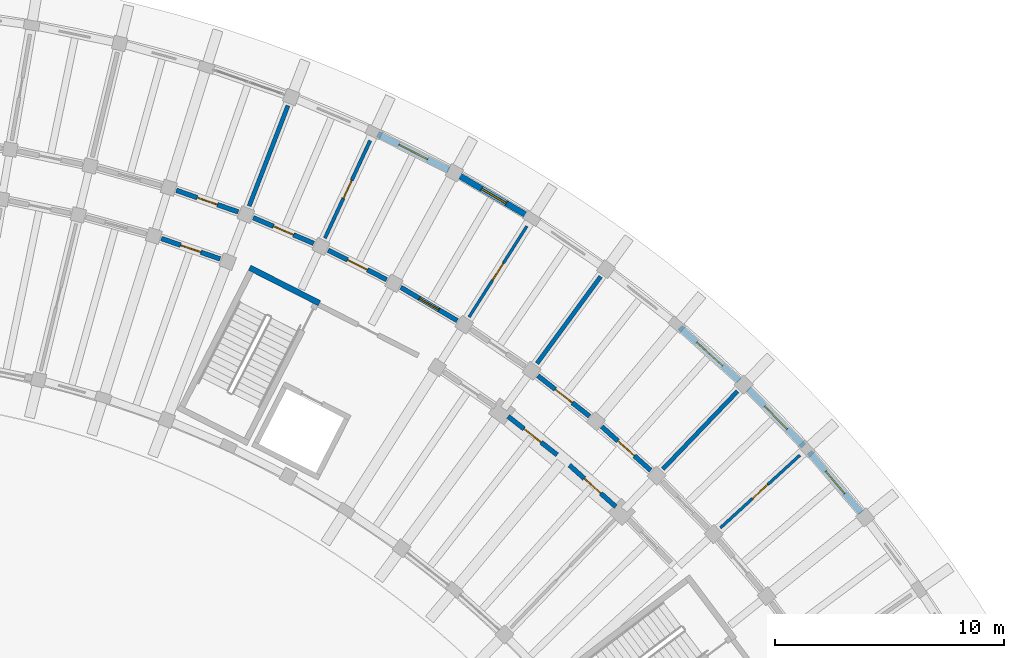
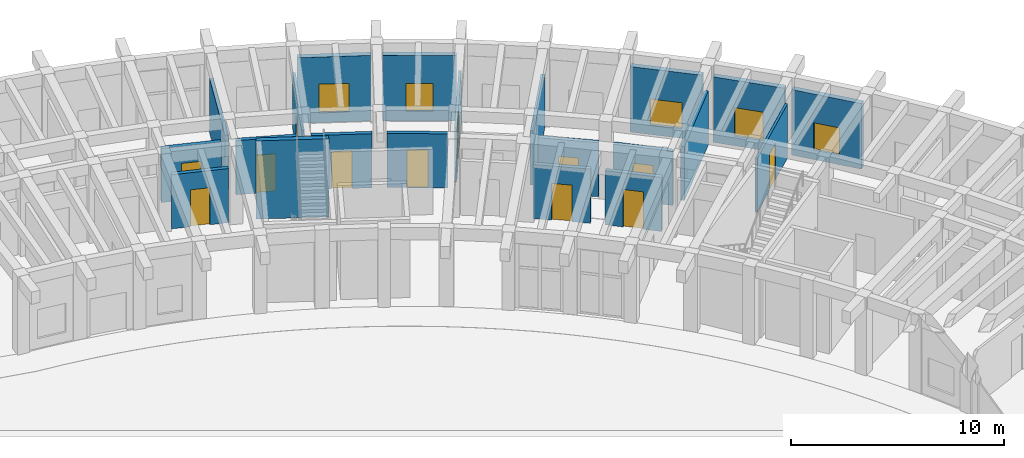
# One storey, part 107 of 132: 21 walls, 12 doors, 5 windows, 17 openings.
"""IFC4 building model written with IfcOpenShell, lengths in metres."""

from ifc_helpers import new_model, si_unit, direction, frame, frame_2d, origin, place, context, subcontext, project, spatial, rectangle, extrude, material, layer, layer_set, type_object, element, fill, save


model = new_model("IFC4")

# Units and contexts
model_context = context("Model", 3, precision=1e-05, world=origin(), true_north=direction((0.0, 1.0)))
body_context = subcontext(model_context, "Body", "Model", "MODEL_VIEW")
ifc_project = project(units=[si_unit("LENGTHUNIT", "METRE"), si_unit("AREAUNIT", "SQUARE_METRE"), si_unit("VOLUMEUNIT", "CUBIC_METRE"), si_unit("PLANEANGLEUNIT", "RADIAN"), si_unit("MASSUNIT", "GRAM", prefix="KILO")], contexts=[model_context])

# Site, building, storey
site_placement = place(None, origin())
site = spatial("IfcSite", under=ifc_project, at=site_placement, CompositionType="ELEMENT")
building_placement = place(site_placement, origin())
building = spatial("IfcBuilding", under=site, at=building_placement, Name="Tanwirah Colonnade Gardens", CompositionType="ELEMENT")
storey_placement = place(building_placement, origin())
storey = spatial("IfcBuildingStorey", under=building, at=storey_placement, Name="L00", CompositionType="ELEMENT", Elevation=0.0)

# Wall, opening, window
ifc_material_1 = material(Name="Limestone architectural precast concrete C40/50", Category="masonry")
ifc_layer_1 = layer(ifc_material_1, 0.27001953125)
ifc_layer_set_1 = layer_set([ifc_layer_1], Name="Limestone architectural precast concrete C40/50")
wall_type_1 = type_object("IfcWallType", Name="EW-PC270", PredefinedType="SOLIDWALL", material=ifc_layer_set_1)
wall_1_placement = place(storey_placement, frame((167.32080078125, 97.611328125, 0.0), z_axis=(0.0, 0.0, 1.0), x_axis=(-0.650230086208, 0.759737346054, 0.0)))
wall_1 = element("IfcWall", 1, at=wall_1_placement, inside=storey, type_object=wall_type_1, Name="Block B L00 OUT Precast Facade Wall 6", PredefinedType="SOLIDWALL", context=body_context, shape_type="SweptSolid", body=[
    extrude(rectangle(XDim=3.4755859375, YDim=0.27001953125, at=frame_2d((1.73779296875, 0.0))), origin(), (0.0, 0.0, 1.0), 3.7548828125),
])
opening_1_placement = place(wall_1_placement, frame((1.097900390625, 0.0, 0.550048828125)))
opening_1 = element("IfcOpeningElement", 2, at=opening_1_placement, cuts=wall_1, Name="Opening WIN-U04", PredefinedType="OPENING", context=body_context, shape_type="SweptSolid", body=[
    extrude(rectangle(XDim=1.280029296875, YDim=1.56005859375, at=frame_2d((0.64013671875, 0.780029296875))), frame((0.0, 0.14501953125, 0.0), z_axis=(0.0, -1.0, 0.0), x_axis=(1.0, 0.0, 0.0)), (0.0, 0.0, 1.0), 0.2900390625),
])
ifc_material_2 = material(Name="Thermally broken bronze aluminium and solar low-E double glazing", Category="aluminium")
window_type_1 = type_object("IfcWindowType", Name="WIN-U04", PartitioningType="DOUBLE_PANEL_VERTICAL", PredefinedType="WINDOW", material=ifc_material_2)
window_1_placement = place(opening_1_placement, origin())
window_1 = element("IfcWindow", 3, at=window_1_placement, inside=storey, type_object=window_type_1, Name="Facade window B-L00-OUT-06", OverallHeight=1.56005859375, OverallWidth=1.280029296875, PartitioningType="SINGLE_PANEL", PredefinedType="WINDOW", context=body_context, shape_type="SweptSolid", body=[
    extrude(rectangle(XDim=1.280029296875, YDim=1.56005859375, at=frame_2d((0.64013671875, 0.780029296875))), frame((0.0, 0.030029296875, 0.0), z_axis=(0.0, -1.0, 0.0), x_axis=(1.0, 0.0, 0.0)), (0.0, 0.0, 1.0), 0.06005859375),
])
fill(opening_1, window_1)

wall_2_placement = place(storey_placement, frame((164.818115234375, 100.517578125, 0.0), z_axis=(0.0, 0.0, 1.0), x_axis=(-0.69884067125, 0.715277370121, 0.0)))
wall_2 = element("IfcWall", 4, at=wall_2_placement, inside=storey, type_object=wall_type_1, Name="Block B L00 OUT Precast Facade Wall 7", PredefinedType="SOLIDWALL", context=body_context, shape_type="SweptSolid", body=[
    extrude(rectangle(XDim=3.4755859375, YDim=0.27001953125, at=frame_2d((1.73779296875, 0.0))), origin(), (0.0, 0.0, 1.0), 3.7548828125),
])
opening_2_placement = place(wall_2_placement, frame((1.037841796875, 0.0, 0.550048828125)))
opening_2 = element("IfcOpeningElement", 5, at=opening_2_placement, cuts=wall_2, Name="Opening WIN-U07", PredefinedType="OPENING", context=body_context, shape_type="SweptSolid", body=[
    extrude(rectangle(XDim=1.39990234375, YDim=1.635009765625, at=frame_2d((0.699951171875, 0.8173828125))), frame((0.0, 0.14501953125, 0.0), z_axis=(0.0, -1.0, 0.0), x_axis=(1.0, 0.0, 0.0)), (0.0, 0.0, 1.0), 0.2900390625),
])
window_type_2 = type_object("IfcWindowType", Name="WIN-U07", PartitioningType="DOUBLE_PANEL_VERTICAL", PredefinedType="WINDOW", material=ifc_material_2)
window_2_placement = place(opening_2_placement, origin())
window_2 = element("IfcWindow", 6, at=window_2_placement, inside=storey, type_object=window_type_2, Name="Facade window B-L00-OUT-07", OverallHeight=1.635009765625, OverallWidth=1.39990234375, PartitioningType="SINGLE_PANEL", PredefinedType="WINDOW", context=body_context, shape_type="SweptSolid", body=[
    extrude(rectangle(XDim=1.39990234375, YDim=1.635009765625, at=frame_2d((0.699951171875, 0.8173828125))), frame((0.0, 0.030029296875, 0.0), z_axis=(0.0, -1.0, 0.0), x_axis=(1.0, 0.0, 0.0)), (0.0, 0.0, 1.0), 0.06005859375),
])
fill(opening_2, window_2)

wall_3_placement = place(storey_placement, frame((161.99951171875, 103.377197265625, 0.0), z_axis=(0.0, 0.0, 1.0), x_axis=(-0.744452648125, 0.667675261411, 0.0)))
wall_3 = element("IfcWall", 7, at=wall_3_placement, inside=storey, type_object=wall_type_1, Name="Block B L00 OUT Precast Facade Wall 8", PredefinedType="SOLIDWALL", context=body_context, shape_type="SweptSolid", body=[
    extrude(rectangle(XDim=3.4755859375, YDim=0.27001953125, at=frame_2d((1.73779296875, 0.0))), origin(), (0.0, 0.0, 1.0), 3.7548828125),
])
opening_3_placement = place(wall_3_placement, frame((0.977783203125, 0.0, 0.550048828125)))
opening_3 = element("IfcOpeningElement", 8, at=opening_3_placement, cuts=wall_3, Name="Opening WIN-U10", PredefinedType="OPENING", context=body_context, shape_type="SweptSolid", body=[
    extrude(rectangle(XDim=1.52001953125, YDim=1.485107421875, at=frame_2d((0.760009765625, 0.74267578125))), frame((0.0, 0.14501953125, 0.0), z_axis=(0.0, -1.0, 0.0), x_axis=(1.0, 0.0, 0.0)), (0.0, 0.0, 1.0), 0.2900390625),
])
window_type_3 = type_object("IfcWindowType", Name="WIN-U10", PartitioningType="DOUBLE_PANEL_VERTICAL", PredefinedType="WINDOW", material=ifc_material_2)
window_3_placement = place(opening_3_placement, origin())
window_3 = element("IfcWindow", 9, at=window_3_placement, inside=storey, type_object=window_type_3, Name="Facade window B-L00-OUT-08", OverallHeight=1.485107421875, OverallWidth=1.52001953125, PartitioningType="SINGLE_PANEL", PredefinedType="WINDOW", context=body_context, shape_type="SweptSolid", body=[
    extrude(rectangle(XDim=1.52001953125, YDim=1.485107421875, at=frame_2d((0.760009765625, 0.74267578125))), frame((0.0, 0.030029296875, 0.0), z_axis=(0.0, -1.0, 0.0), x_axis=(1.0, 0.0, 0.0)), (0.0, 0.0, 1.0), 0.06005859375),
])
fill(opening_3, window_3)

wall_4_placement = place(storey_placement, frame((152.79248046875, 110.54638671875, 0.0), z_axis=(0.0, 0.0, 1.0), x_axis=(-0.861127819205, 0.50838851186, 0.0)))
wall_4 = element("IfcWall", 10, at=wall_4_placement, inside=storey, type_object=wall_type_1, Name="Block B L00 OUT Precast Facade Wall 11", PredefinedType="SOLIDWALL", context=body_context, shape_type="SweptSolid", body=[
    extrude(rectangle(XDim=3.475830078125, YDim=0.27001953125, at=frame_2d((1.73779296875, 0.0))), origin(), (0.0, 0.0, 1.0), 3.7548828125),
])
opening_4_placement = place(wall_4_placement, frame((1.11279296875, 0.0, 0.550048828125)))
opening_4 = element("IfcOpeningElement", 11, at=opening_4_placement, cuts=wall_4, Name="Opening WIN-T03", PredefinedType="OPENING", context=body_context, shape_type="SweptSolid", body=[
    extrude(rectangle(XDim=1.25, YDim=1.60009765625, at=frame_2d((0.625, 0.800048828125))), frame((0.0, 0.14501953125, 0.0), z_axis=(0.0, -1.0, 0.0), x_axis=(1.0, 0.0, 0.0)), (0.0, 0.0, 1.0), 0.2900390625),
])
window_type_4 = type_object("IfcWindowType", Name="WIN-T03", PartitioningType="SINGLE_PANEL", PredefinedType="WINDOW", material=ifc_material_2)
window_4_placement = place(opening_4_placement, origin())
window_4 = element("IfcWindow", 12, at=window_4_placement, inside=storey, type_object=window_type_4, Name="Facade window B-L00-OUT-11", OverallHeight=1.60009765625, OverallWidth=1.25, PartitioningType="SINGLE_PANEL", PredefinedType="WINDOW", context=body_context, shape_type="SweptSolid", body=[
    extrude(rectangle(XDim=1.25, YDim=1.60009765625, at=frame_2d((0.625, 0.800048828125))), frame((0.0, 0.030029296875, 0.0), z_axis=(0.0, -1.0, 0.0), x_axis=(1.0, 0.0, 0.0)), (0.0, 0.0, 1.0), 0.06005859375),
])
fill(opening_4, window_4)

wall_5_placement = place(storey_placement, frame((149.325927734375, 112.572265625, 0.0), z_axis=(0.0, 0.0, 1.0), x_axis=(-0.89276335836, 0.450525899333, 0.0)))
wall_5 = element("IfcWall", 13, at=wall_5_placement, inside=storey, type_object=wall_type_1, Name="Block B L00 OUT Precast Facade Wall 12", PredefinedType="SOLIDWALL", context=body_context, shape_type="SweptSolid", body=[
    extrude(rectangle(XDim=3.475830078125, YDim=0.27001953125, at=frame_2d((1.73779296875, 0.0))), origin(), (0.0, 0.0, 1.0), 3.7548828125),
])
opening_5_placement = place(wall_5_placement, frame((1.037841796875, 0.0, 0.550048828125)))
opening_5 = element("IfcOpeningElement", 14, at=opening_5_placement, cuts=wall_5, Name="Opening WIN-T06", PredefinedType="OPENING", context=body_context, shape_type="SweptSolid", body=[
    extrude(rectangle(XDim=1.39990234375, YDim=1.64990234375, at=frame_2d((0.699951171875, 0.824951171875))), frame((0.0, 0.14501953125, 0.0), z_axis=(0.0, -1.0, 0.0), x_axis=(1.0, 0.0, 0.0)), (0.0, 0.0, 1.0), 0.2900390625),
])
window_type_5 = type_object("IfcWindowType", Name="WIN-T06", PartitioningType="DOUBLE_PANEL_VERTICAL", PredefinedType="WINDOW", material=ifc_material_2)
window_5_placement = place(opening_5_placement, origin())
window_5 = element("IfcWindow", 15, at=window_5_placement, inside=storey, type_object=window_type_5, Name="Facade window B-L00-OUT-12", OverallHeight=1.64990234375, OverallWidth=1.39990234375, PartitioningType="SINGLE_PANEL", PredefinedType="WINDOW", context=body_context, shape_type="SweptSolid", body=[
    extrude(rectangle(XDim=1.39990234375, YDim=1.64990234375, at=frame_2d((0.699951171875, 0.824951171875))), frame((0.0, 0.030029296875, 0.0), z_axis=(0.0, -1.0, 0.0), x_axis=(1.0, 0.0, 0.0)), (0.0, 0.0, 1.0), 0.06005859375),
])
fill(opening_5, window_5)

# Wall, opening, door
ifc_material_3 = material(Name="Precast concrete C40/50", Category="concrete")
ifc_layer_2 = layer(ifc_material_3, 0.205078125)
ifc_layer_set_2 = layer_set([ifc_layer_2], Name="Precast concrete C40/50")
wall_type_2 = type_object("IfcWallType", Name="IW-CORR205", PredefinedType="PARTITIONING", material=ifc_layer_set_2)
wall_6_placement = place(storey_placement, frame((158.134765625, 99.459228515625, 0.0), z_axis=(0.0, 0.0, 1.0), x_axis=(-0.744433521088, 0.667696587291, 0.0)))
wall_6 = element("IfcWall", 16, at=wall_6_placement, inside=storey, type_object=wall_type_2, Name="Block B L00 OUT Corridor Wall 8", PredefinedType="PARTITIONING", context=body_context, shape_type="SweptSolid", body=[
    extrude(rectangle(XDim=2.86328125, YDim=0.205078125, at=frame_2d((1.431640625, 0.0))), origin(), (0.0, 0.0, 1.0), 3.10009765625),
])
opening_6_placement = place(wall_6_placement, frame((0.946533203125, 0.0, 0.0)))
opening_6 = element("IfcOpeningElement", 17, at=opening_6_placement, cuts=wall_6, Name="Opening L00-AD811", PredefinedType="OPENING", context=body_context, shape_type="SweptSolid", body=[
    extrude(rectangle(XDim=0.969970703125, YDim=2.14990234375, at=frame_2d((0.48486328125, 1.074951171875))), frame((0.0, 0.112548828125, 0.0), z_axis=(0.0, -1.0, 0.0), x_axis=(1.0, 0.0, 0.0)), (0.0, 0.0, 1.0), 0.22509765625),
])
ifc_material_4 = material(Name="Solid oak fire-resisting apartment entrance door")
door_type_1 = type_object("IfcDoorType", Name="ID-FLT097", OperationType="NOTDEFINED", PredefinedType="DOOR", material=ifc_material_4)
door_1_placement = place(opening_6_placement, origin())
door_1 = element("IfcDoor", 18, at=door_1_placement, inside=storey, type_object=door_type_1, Name="Apartment corridor door L00-AD811", OperationType="SINGLE_SWING_LEFT", OverallHeight=2.14990234375, OverallWidth=0.969970703125, PredefinedType="DOOR", context=body_context, shape_type="SweptSolid", body=[
    extrude(rectangle(XDim=0.969970703125, YDim=2.14990234375, at=frame_2d((0.48486328125, 1.074951171875))), frame((0.0, 0.02490234375, 0.0), z_axis=(0.0, -1.0, 0.0), x_axis=(1.0, 0.0, 0.0)), (0.0, 0.0, 1.0), 0.050048828125),
])
fill(opening_6, door_1)

wall_7_placement = place(storey_placement, frame((156.612548828125, 97.870849609375, 0.0), z_axis=(0.0, 0.0, 1.0), x_axis=(-0.744418559135, 0.667713268413, 0.0)))
wall_7 = element("IfcWall", 19, at=wall_7_placement, inside=storey, type_object=wall_type_2, Name="Block B L00 IN Corridor Wall 8", PredefinedType="PARTITIONING", context=body_context, shape_type="SweptSolid", body=[
    extrude(rectangle(XDim=2.71826171875, YDim=0.205078125, at=frame_2d((1.359130859375, 0.0))), origin(), (0.0, 0.0, 1.0), 3.10009765625),
])
opening_7_placement = place(wall_7_placement, frame((0.8740234375, 0.0, 0.0)))
opening_7 = element("IfcOpeningElement", 20, at=opening_7_placement, cuts=wall_7, Name="Opening L00-AD812", PredefinedType="OPENING", context=body_context, shape_type="SweptSolid", body=[
    extrude(rectangle(XDim=0.969970703125, YDim=2.14990234375, at=frame_2d((0.48486328125, 1.074951171875))), frame((0.0, 0.112548828125, 0.0), z_axis=(0.0, -1.0, 0.0), x_axis=(1.0, 0.0, 0.0)), (0.0, 0.0, 1.0), 0.22509765625),
])
door_2_placement = place(opening_7_placement, origin())
door_2 = element("IfcDoor", 21, at=door_2_placement, inside=storey, type_object=door_type_1, Name="Apartment corridor door L00-AD812", OperationType="SINGLE_SWING_RIGHT", OverallHeight=2.14990234375, OverallWidth=0.969970703125, PredefinedType="DOOR", context=body_context, shape_type="SweptSolid", body=[
    extrude(rectangle(XDim=0.969970703125, YDim=2.14990234375, at=frame_2d((0.48486328125, 1.074951171875))), frame((0.0, 0.02490234375, 0.0), z_axis=(0.0, -1.0, 0.0), x_axis=(1.0, 0.0, 0.0)), (0.0, 0.0, 1.0), 0.050048828125),
])
fill(opening_7, door_2)

wall_8_placement = place(storey_placement, frame((155.46728515625, 101.82080078125, 0.0), z_axis=(0.0, 0.0, 1.0), x_axis=(-0.786806323554, 0.617199975061, 0.0)))
wall_8 = element("IfcWall", 22, at=wall_8_placement, inside=storey, type_object=wall_type_2, Name="Block B L00 OUT Corridor Wall 9", PredefinedType="PARTITIONING", context=body_context, shape_type="SweptSolid", body=[
    extrude(rectangle(XDim=2.863037109375, YDim=0.205078125, at=frame_2d((1.431640625, 0.0))), origin(), (0.0, 0.0, 1.0), 3.10009765625),
])
opening_8_placement = place(wall_8_placement, frame((0.95654296875, 0.0, 0.0)))
opening_8 = element("IfcOpeningElement", 23, at=opening_8_placement, cuts=wall_8, Name="Opening L00-AD813", PredefinedType="OPENING", context=body_context, shape_type="SweptSolid", body=[
    extrude(rectangle(XDim=0.949951171875, YDim=2.1298828125, at=frame_2d((0.47509765625, 1.06494140625))), frame((0.0, 0.112548828125, 0.0), z_axis=(0.0, -1.0, 0.0), x_axis=(1.0, 0.0, 0.0)), (0.0, 0.0, 1.0), 0.22509765625),
])
door_type_2 = type_object("IfcDoorType", Name="ID-FLT095", OperationType="NOTDEFINED", PredefinedType="DOOR", material=ifc_material_4)
door_3_placement = place(opening_8_placement, origin())
door_3 = element("IfcDoor", 24, at=door_3_placement, inside=storey, type_object=door_type_2, Name="Apartment corridor door L00-AD813", OperationType="SINGLE_SWING_RIGHT", OverallHeight=2.1298828125, OverallWidth=0.949951171875, PredefinedType="DOOR", context=body_context, shape_type="SweptSolid", body=[
    extrude(rectangle(XDim=0.949951171875, YDim=2.1298828125, at=frame_2d((0.47509765625, 1.06494140625))), frame((0.0, 0.02490234375, 0.0), z_axis=(0.0, -1.0, 0.0), x_axis=(1.0, 0.0, 0.0)), (0.0, 0.0, 1.0), 0.050048828125),
])
fill(opening_8, door_3)

wall_9_placement = place(storey_placement, frame((154.05322265625, 100.135498046875, 0.0), z_axis=(0.0, 0.0, 1.0), x_axis=(-0.786835457019, 0.617162833924, 0.0)))
wall_9 = element("IfcWall", 25, at=wall_9_placement, inside=storey, type_object=wall_type_2, Name="Block B L00 IN Corridor Wall 9", PredefinedType="PARTITIONING", context=body_context, shape_type="SweptSolid", body=[
    extrude(rectangle(XDim=2.718017578125, YDim=0.205078125, at=frame_2d((1.35888671875, 0.0))), origin(), (0.0, 0.0, 1.0), 3.10009765625),
])
opening_9_placement = place(wall_9_placement, frame((0.87890625, 0.0, 0.0)))
opening_9 = element("IfcOpeningElement", 26, at=opening_9_placement, cuts=wall_9, Name="Opening L00-AD814", PredefinedType="OPENING", context=body_context, shape_type="SweptSolid", body=[
    extrude(rectangle(XDim=0.9599609375, YDim=2.10009765625, at=frame_2d((0.47998046875, 1.050048828125))), frame((0.0, 0.112548828125, 0.0), z_axis=(0.0, -1.0, 0.0), x_axis=(1.0, 0.0, 0.0)), (0.0, 0.0, 1.0), 0.22509765625),
])
ifc_material_5 = material(Name="Accessible toilet outward-opening door")
door_type_3 = type_object("IfcDoorType", Name="ID-AWC096", OperationType="NOTDEFINED", PredefinedType="DOOR", material=ifc_material_5)
door_4_placement = place(opening_9_placement, origin())
door_4 = element("IfcDoor", 27, at=door_4_placement, inside=storey, type_object=door_type_3, Name="Apartment corridor door L00-AD814", OperationType="SINGLE_SWING_LEFT", OverallHeight=2.10009765625, OverallWidth=0.9599609375, PredefinedType="DOOR", context=body_context, shape_type="SweptSolid", body=[
    extrude(rectangle(XDim=0.9599609375, YDim=2.10009765625, at=frame_2d((0.47998046875, 1.050048828125))), frame((0.0, 0.02490234375, 0.0), z_axis=(0.0, -1.0, 0.0), x_axis=(1.0, 0.0, 0.0)), (0.0, 0.0, 1.0), 0.050048828125),
])
fill(opening_9, door_4)

wall_10_placement = place(storey_placement, frame((149.6953125, 105.991455078125, 0.0), z_axis=(0.0, 0.0, 1.0), x_axis=(-0.861113214678, 0.508413248753, 0.0)))
wall_10 = element("IfcWall", 28, at=wall_10_placement, inside=storey, type_object=wall_type_2, Name="Block B L00 OUT Corridor Wall 11", PredefinedType="PARTITIONING", context=body_context, shape_type="SweptSolid", body=[
    extrude(rectangle(XDim=2.863037109375, YDim=0.205078125, at=frame_2d((1.431640625, 0.0))), origin(), (0.0, 0.0, 1.0), 3.10009765625),
])
opening_10_placement = place(wall_10_placement, frame((0.9365234375, 0.0, 0.0)))
opening_10 = element("IfcOpeningElement", 29, at=opening_10_placement, cuts=wall_10, Name="Opening L00-AD818", PredefinedType="OPENING", context=body_context, shape_type="SweptSolid", body=[
    extrude(rectangle(XDim=0.989990234375, YDim=2.159912109375, at=frame_2d((0.4951171875, 1.080078125))), frame((0.0, 0.112548828125, 0.0), z_axis=(0.0, -1.0, 0.0), x_axis=(1.0, 0.0, 0.0)), (0.0, 0.0, 1.0), 0.22509765625),
])
door_type_4 = type_object("IfcDoorType", Name="ID-FLT099", OperationType="NOTDEFINED", PredefinedType="DOOR", material=ifc_material_4)
door_5_placement = place(opening_10_placement, origin())
door_5 = element("IfcDoor", 30, at=door_5_placement, inside=storey, type_object=door_type_4, Name="Apartment corridor door L00-AD818", OperationType="SINGLE_SWING_RIGHT", OverallHeight=2.159912109375, OverallWidth=0.989990234375, PredefinedType="DOOR", context=body_context, shape_type="SweptSolid", body=[
    extrude(rectangle(XDim=0.989990234375, YDim=2.159912109375, at=frame_2d((0.4951171875, 1.080078125))), frame((0.0, 0.02490234375, 0.0), z_axis=(0.0, -1.0, 0.0), x_axis=(1.0, 0.0, 0.0)), (0.0, 0.0, 1.0), 0.050048828125),
])
fill(opening_10, door_5)

wall_11_placement = place(storey_placement, frame((146.615966796875, 107.782470703125, 0.0), z_axis=(0.0, 0.0, 1.0), x_axis=(-0.89273239336, 0.450587254419, 0.0)))
wall_11 = element("IfcWall", 31, at=wall_11_placement, inside=storey, type_object=wall_type_2, Name="Block B L00 OUT Corridor Wall 12", PredefinedType="PARTITIONING", context=body_context, shape_type="SweptSolid", body=[
    extrude(rectangle(XDim=2.863037109375, YDim=0.205078125, at=frame_2d((1.431640625, 0.0))), origin(), (0.0, 0.0, 1.0), 3.10009765625),
])
opening_11_placement = place(wall_11_placement, frame((0.946533203125, 0.0, 0.0)))
opening_11 = element("IfcOpeningElement", 32, at=opening_11_placement, cuts=wall_11, Name="Opening L00-AD819", PredefinedType="OPENING", context=body_context, shape_type="SweptSolid", body=[
    extrude(rectangle(XDim=0.969970703125, YDim=2.14990234375, at=frame_2d((0.48486328125, 1.074951171875))), frame((0.0, 0.112548828125, 0.0), z_axis=(0.0, -1.0, 0.0), x_axis=(1.0, 0.0, 0.0)), (0.0, 0.0, 1.0), 0.22509765625),
])
door_6_placement = place(opening_11_placement, origin())
door_6 = element("IfcDoor", 33, at=door_6_placement, inside=storey, type_object=door_type_1, Name="Apartment corridor door L00-AD819", OperationType="SINGLE_SWING_LEFT", OverallHeight=2.14990234375, OverallWidth=0.969970703125, PredefinedType="DOOR", context=body_context, shape_type="SweptSolid", body=[
    extrude(rectangle(XDim=0.969970703125, YDim=2.14990234375, at=frame_2d((0.48486328125, 1.074951171875))), frame((0.0, 0.02490234375, 0.0), z_axis=(0.0, -1.0, 0.0), x_axis=(1.0, 0.0, 0.0)), (0.0, 0.0, 1.0), 0.050048828125),
])
fill(opening_11, door_6)

wall_12_placement = place(storey_placement, frame((143.42529296875, 109.366943359375, 0.0), z_axis=(0.0, 0.0, 1.0), x_axis=(-0.920511160294, 0.390716270168, 0.0)))
wall_12 = element("IfcWall", 34, at=wall_12_placement, inside=storey, type_object=wall_type_2, Name="Block B L00 OUT Corridor Wall 13", PredefinedType="PARTITIONING", context=body_context, shape_type="SweptSolid", body=[
    extrude(rectangle(XDim=2.863037109375, YDim=0.205078125, at=frame_2d((1.431640625, 0.0))), origin(), (0.0, 0.0, 1.0), 3.10009765625),
])
opening_12_placement = place(wall_12_placement, frame((0.95654296875, 0.0, 0.0)))
opening_12 = element("IfcOpeningElement", 35, at=opening_12_placement, cuts=wall_12, Name="Opening L00-AD821", PredefinedType="OPENING", context=body_context, shape_type="SweptSolid", body=[
    extrude(rectangle(XDim=0.949951171875, YDim=2.1298828125, at=frame_2d((0.47509765625, 1.06494140625))), frame((0.0, 0.112548828125, 0.0), z_axis=(0.0, -1.0, 0.0), x_axis=(1.0, 0.0, 0.0)), (0.0, 0.0, 1.0), 0.22509765625),
])
door_7_placement = place(opening_12_placement, origin())
door_7 = element("IfcDoor", 36, at=door_7_placement, inside=storey, type_object=door_type_2, Name="Apartment corridor door L00-AD821", OperationType="SINGLE_SWING_RIGHT", OverallHeight=2.1298828125, OverallWidth=0.949951171875, PredefinedType="DOOR", context=body_context, shape_type="SweptSolid", body=[
    extrude(rectangle(XDim=0.949951171875, YDim=2.1298828125, at=frame_2d((0.47509765625, 1.06494140625))), frame((0.0, 0.02490234375, 0.0), z_axis=(0.0, -1.0, 0.0), x_axis=(1.0, 0.0, 0.0)), (0.0, 0.0, 1.0), 0.050048828125),
])
fill(opening_12, door_7)

wall_13_placement = place(storey_placement, frame((140.13720703125, 110.737548828125, 0.0), z_axis=(0.0, 0.0, 1.0), x_axis=(-0.944253820929, 0.329218349522, 0.0)))
wall_13 = element("IfcWall", 37, at=wall_13_placement, inside=storey, type_object=wall_type_2, Name="Block B L00 OUT Corridor Wall 14", PredefinedType="PARTITIONING", context=body_context, shape_type="SweptSolid", body=[
    extrude(rectangle(XDim=2.86328125, YDim=0.205078125, at=frame_2d((1.431640625, 0.0))), origin(), (0.0, 0.0, 1.0), 3.10009765625),
])
opening_13_placement = place(wall_13_placement, frame((0.966552734375, 0.0, 0.0)))
opening_13 = element("IfcOpeningElement", 38, at=opening_13_placement, cuts=wall_13, Name="Opening L00-AD822", PredefinedType="OPENING", context=body_context, shape_type="SweptSolid", body=[
    extrude(rectangle(XDim=0.929931640625, YDim=2.1201171875, at=frame_2d((0.46484375, 1.06005859375))), frame((0.0, 0.112548828125, 0.0), z_axis=(0.0, -1.0, 0.0), x_axis=(1.0, 0.0, 0.0)), (0.0, 0.0, 1.0), 0.22509765625),
])
door_type_5 = type_object("IfcDoorType", Name="ID-FLT093", OperationType="NOTDEFINED", PredefinedType="DOOR", material=ifc_material_4)
door_8_placement = place(opening_13_placement, origin())
door_8 = element("IfcDoor", 39, at=door_8_placement, inside=storey, type_object=door_type_5, Name="Apartment corridor door L00-AD822", OperationType="SINGLE_SWING_LEFT", OverallHeight=2.1201171875, OverallWidth=0.929931640625, PredefinedType="DOOR", context=body_context, shape_type="SweptSolid", body=[
    extrude(rectangle(XDim=0.929931640625, YDim=2.1201171875, at=frame_2d((0.46484375, 1.06005859375))), frame((0.0, 0.02490234375, 0.0), z_axis=(0.0, -1.0, 0.0), x_axis=(1.0, 0.0, 0.0)), (0.0, 0.0, 1.0), 0.050048828125),
])
fill(opening_13, door_8)

wall_14_placement = place(storey_placement, frame((139.3447265625, 108.685302734375, 0.0), z_axis=(0.0, 0.0, 1.0), x_axis=(-0.944265123647, 0.329185929627, 0.0)))
wall_14 = element("IfcWall", 40, at=wall_14_placement, inside=storey, type_object=wall_type_2, Name="Block B L00 IN Corridor Wall 14", PredefinedType="PARTITIONING", context=body_context, shape_type="SweptSolid", body=[
    extrude(rectangle(XDim=2.71826171875, YDim=0.205078125, at=frame_2d((1.359130859375, 0.0))), origin(), (0.0, 0.0, 1.0), 3.10009765625),
])
opening_14_placement = place(wall_14_placement, frame((0.89404296875, 0.0, 0.0)))
opening_14 = element("IfcOpeningElement", 41, at=opening_14_placement, cuts=wall_14, Name="Opening L00-AD823", PredefinedType="OPENING", context=body_context, shape_type="SweptSolid", body=[
    extrude(rectangle(XDim=0.929931640625, YDim=2.1201171875, at=frame_2d((0.46484375, 1.06005859375))), frame((0.0, 0.112548828125, 0.0), z_axis=(0.0, -1.0, 0.0), x_axis=(1.0, 0.0, 0.0)), (0.0, 0.0, 1.0), 0.22509765625),
])
door_9_placement = place(opening_14_placement, origin())
door_9 = element("IfcDoor", 42, at=door_9_placement, inside=storey, type_object=door_type_5, Name="Apartment corridor door L00-AD823", OperationType="SINGLE_SWING_RIGHT", OverallHeight=2.1201171875, OverallWidth=0.929931640625, PredefinedType="DOOR", context=body_context, shape_type="SweptSolid", body=[
    extrude(rectangle(XDim=0.929931640625, YDim=2.1201171875, at=frame_2d((0.46484375, 1.06005859375))), frame((0.0, 0.02490234375, 0.0), z_axis=(0.0, -1.0, 0.0), x_axis=(1.0, 0.0, 0.0)), (0.0, 0.0, 1.0), 0.050048828125),
])
fill(opening_14, door_9)

# Walls
ifc_layer_3 = layer(ifc_material_3, 0.18505859375)
ifc_layer_set_3 = layer_set([ifc_layer_3], Name="Precast concrete C40/50")
wall_type_3 = type_object("IfcWallType", Name="IW-DEM185", PredefinedType="PARTITIONING", material=ifc_layer_set_3)
wall_15_placement = place(storey_placement, frame((158.671875, 99.514404296875, 0.0), z_axis=(0.0, 0.0, 1.0), x_axis=(0.691855720025, 0.722035776585, 0.0)))
element("IfcWall", 43, at=wall_15_placement, inside=storey, type_object=wall_type_3, Name="Block B L00 Radial Partition 7", PredefinedType="PARTITIONING", context=body_context, shape_type="SweptSolid", body=[
    extrude(rectangle(XDim=4.699951171875, YDim=0.18505859375, at=frame_2d((2.35009765625, 0.0))), origin(), (0.0, 0.0, 1.0), 3.10009765625),
])
wall_16_placement = place(storey_placement, frame((153.175537109375, 104.12646484375, 0.0), z_axis=(0.0, 0.0, 1.0), x_axis=(0.590910940129, 0.806736797745, 0.0)))
element("IfcWall", 44, at=wall_16_placement, inside=storey, type_object=wall_type_3, Name="Block B L00 Radial Partition 9", PredefinedType="PARTITIONING", context=body_context, shape_type="SweptSolid", body=[
    extrude(rectangle(XDim=4.7001953125, YDim=0.18505859375, at=frame_2d((2.35009765625, 0.0))), origin(), (0.0, 0.0, 1.0), 3.10009765625),
])
wall_17_placement = place(storey_placement, frame((140.611572265625, 110.99560546875, 0.0), z_axis=(0.0, 0.0, 1.0), x_axis=(0.360186633854, 0.932880264982, 0.0)))
element("IfcWall", 45, at=wall_17_placement, inside=storey, type_object=wall_type_3, Name="Block B L00 Radial Partition 13", PredefinedType="PARTITIONING", context=body_context, shape_type="SweptSolid", body=[
    extrude(rectangle(XDim=4.699951171875, YDim=0.18505859375, at=frame_2d((2.35009765625, 0.0))), origin(), (0.0, 0.0, 1.0), 3.10009765625),
])

# Wall, opening, door
ifc_material_6 = material(Name="Moisture-resistant gypsum stud partition")
ifc_layer_4 = layer(ifc_material_6, 0.125)
ifc_layer_set_4 = layer_set([ifc_layer_4], Name="Moisture-resistant gypsum stud partition")
wall_type_4 = type_object("IfcWallType", Name="IW-INT125", PredefinedType="PARTITIONING", material=ifc_layer_set_4)
wall_18_placement = place(storey_placement, frame((161.180419921875, 96.947021484375, 0.0), z_axis=(0.0, 0.0, 1.0), x_axis=(0.737934199263, 0.674872667663, 0.0)))
wall_18 = element("IfcWall", 46, at=wall_18_placement, inside=storey, type_object=wall_type_4, Name="Block B L00 Radial Partition 6", PredefinedType="PARTITIONING", context=body_context, shape_type="SweptSolid", body=[
    extrude(rectangle(XDim=4.699951171875, YDim=0.125, at=frame_2d((2.35009765625, 0.0))), origin(), (0.0, 0.0, 1.0), 3.10009765625),
])
opening_15_placement = place(wall_18_placement, frame((1.89501953125, 0.0, 0.0)))
opening_15 = element("IfcOpeningElement", 47, at=opening_15_placement, cuts=wall_18, Name="Opening L00-RD807", PredefinedType="OPENING", context=body_context, shape_type="SweptSolid", body=[
    extrude(rectangle(XDim=0.909912109375, YDim=2.10009765625, at=frame_2d((0.455078125, 1.050048828125))), frame((0.0, 0.072509765625, 0.0), z_axis=(0.0, -1.0, 0.0), x_axis=(1.0, 0.0, 0.0)), (0.0, 0.0, 1.0), 0.14501953125),
])
ifc_material_7 = material(Name="Painted hardwood internal room door", Category="wood")
door_type_6 = type_object("IfcDoorType", Name="ID-RM091", OperationType="NOTDEFINED", PredefinedType="DOOR", material=ifc_material_7)
door_10_placement = place(opening_15_placement, origin())
door_10 = element("IfcDoor", 48, at=door_10_placement, inside=storey, type_object=door_type_6, Name="Internal apartment door L00-RD807", OperationType="SINGLE_SWING_LEFT", OverallHeight=2.10009765625, OverallWidth=0.909912109375, PredefinedType="DOOR", context=body_context, shape_type="SweptSolid", body=[
    extrude(rectangle(XDim=0.909912109375, YDim=2.10009765625, at=frame_2d((0.455078125, 1.050048828125))), frame((0.0, 0.02490234375, 0.0), z_axis=(0.0, -1.0, 0.0), x_axis=(1.0, 0.0, 0.0)), (0.0, 0.0, 1.0), 0.050048828125),
])
fill(opening_15, door_10)

wall_19_placement = place(storey_placement, frame((150.21142578125, 106.151123046875, 0.0), z_axis=(0.0, 0.0, 1.0), x_axis=(0.536492262982, 0.843905238614, 0.0)))
wall_19 = element("IfcWall", 49, at=wall_19_placement, inside=storey, type_object=wall_type_4, Name="Block B L00 Radial Partition 10", PredefinedType="PARTITIONING", context=body_context, shape_type="SweptSolid", body=[
    extrude(rectangle(XDim=4.699951171875, YDim=0.125, at=frame_2d((2.35009765625, 0.0))), origin(), (0.0, 0.0, 1.0), 3.10009765625),
])
opening_16_placement = place(wall_19_placement, frame((1.905029296875, 0.0, 0.0)))
opening_16 = element("IfcOpeningElement", 50, at=opening_16_placement, cuts=wall_19, Name="Opening L00-RD817", PredefinedType="OPENING", context=body_context, shape_type="SweptSolid", body=[
    extrude(rectangle(XDim=0.889892578125, YDim=2.10009765625, at=frame_2d((0.44482421875, 1.050048828125))), frame((0.0, 0.072509765625, 0.0), z_axis=(0.0, -1.0, 0.0), x_axis=(1.0, 0.0, 0.0)), (0.0, 0.0, 1.0), 0.14501953125),
])
ifc_material_8 = material(Name="Painted hardwood bedroom door", Category="wood")
door_type_7 = type_object("IfcDoorType", Name="ID-RM089", OperationType="NOTDEFINED", PredefinedType="DOOR", material=ifc_material_8)
door_11_placement = place(opening_16_placement, origin())
door_11 = element("IfcDoor", 51, at=door_11_placement, inside=storey, type_object=door_type_7, Name="Internal apartment door L00-RD817", OperationType="SINGLE_SWING_LEFT", OverallHeight=2.10009765625, OverallWidth=0.889892578125, PredefinedType="DOOR", context=body_context, shape_type="SweptSolid", body=[
    extrude(rectangle(XDim=0.889892578125, YDim=2.10009765625, at=frame_2d((0.44482421875, 1.050048828125))), frame((0.0, 0.02490234375, 0.0), z_axis=(0.0, -1.0, 0.0), x_axis=(1.0, 0.0, 0.0)), (0.0, 0.0, 1.0), 0.050048828125),
])
fill(opening_16, door_11)

ifc_material_9 = material(Name="Water-resistant acoustic plumbing partition")
ifc_layer_5 = layer(ifc_material_9, 0.14990234375)
ifc_layer_set_5 = layer_set([ifc_layer_5], Name="Water-resistant acoustic plumbing partition")
wall_type_5 = type_object("IfcWallType", Name="IW-WET150", PredefinedType="PLUMBINGWALL", material=ifc_layer_set_5)
wall_20_placement = place(storey_placement, frame((143.915771484375, 109.593017578125, 0.0), z_axis=(0.0, 0.0, 1.0), x_axis=(0.420862519045, 0.907124434718, 0.0)))
wall_20 = element("IfcWall", 52, at=wall_20_placement, inside=storey, type_object=wall_type_5, Name="Block B L00 Radial Partition 12", PredefinedType="PLUMBINGWALL", context=body_context, shape_type="SweptSolid", body=[
    extrude(rectangle(XDim=4.699951171875, YDim=0.14990234375, at=frame_2d((2.35009765625, 0.0))), origin(), (0.0, 0.0, 1.0), 3.10009765625),
])
opening_17_placement = place(wall_20_placement, frame((1.919921875, 0.0, 0.0)))
opening_17 = element("IfcOpeningElement", 53, at=opening_17_placement, cuts=wall_20, Name="Opening L00-RD820", PredefinedType="OPENING", context=body_context, shape_type="SweptSolid", body=[
    extrude(rectangle(XDim=0.860107421875, YDim=2.06005859375, at=frame_2d((0.43017578125, 1.030029296875))), frame((0.0, 0.0849609375, 0.0), z_axis=(0.0, -1.0, 0.0), x_axis=(1.0, 0.0, 0.0)), (0.0, 0.0, 1.0), 0.169921875),
])
ifc_material_10 = material(Name="Moisture-resistant bathroom door")
door_type_8 = type_object("IfcDoorType", Name="ID-WET086", OperationType="NOTDEFINED", PredefinedType="DOOR", material=ifc_material_10)
door_12_placement = place(opening_17_placement, origin())
door_12 = element("IfcDoor", 54, at=door_12_placement, inside=storey, type_object=door_type_8, Name="Internal apartment door L00-RD820", OperationType="SINGLE_SWING_LEFT", OverallHeight=2.06005859375, OverallWidth=0.860107421875, PredefinedType="DOOR", context=body_context, shape_type="SweptSolid", body=[
    extrude(rectangle(XDim=0.860107421875, YDim=2.06005859375, at=frame_2d((0.43017578125, 1.030029296875))), frame((0.0, 0.02490234375, 0.0), z_axis=(0.0, -1.0, 0.0), x_axis=(1.0, 0.0, 0.0)), (0.0, 0.0, 1.0), 0.050048828125),
])
fill(opening_17, door_12)

# Wall
ifc_material_11 = material(Name="Concrete C45/55", Category="concrete")
ifc_layer_6 = layer(ifc_material_11, 0.25)
ifc_layer_set_6 = layer_set([ifc_layer_6], Name="Concrete C45/55")
wall_type_6 = type_object("IfcWallType", Name="SW-CORE250", PredefinedType="SHEAR", material=ifc_layer_set_6)
wall_21_placement = place(storey_placement, frame((140.62939453125, 108.306640625, 0.0), z_axis=(0.0, 0.0, 1.0), x_axis=(0.891032414707, -0.453939683153, 0.0)))
element("IfcWall", 55, at=wall_21_placement, inside=storey, type_object=wall_type_6, Name="CORE-B2 L00 Stair Shaft Shear Wall NEAR", PredefinedType="SHEAR", context=body_context, shape_type="SweptSolid", body=[
    extrude(rectangle(XDim=3.419921875, YDim=0.25, at=frame_2d((1.7099609375, 0.0))), origin(), (0.0, 0.0, 1.0), 4.47998046875),
])

save(model, "model.ifc")
